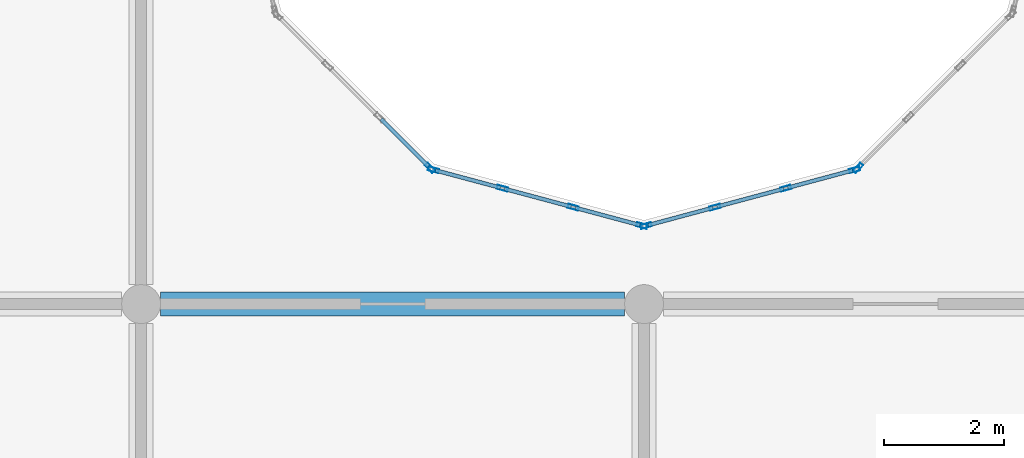
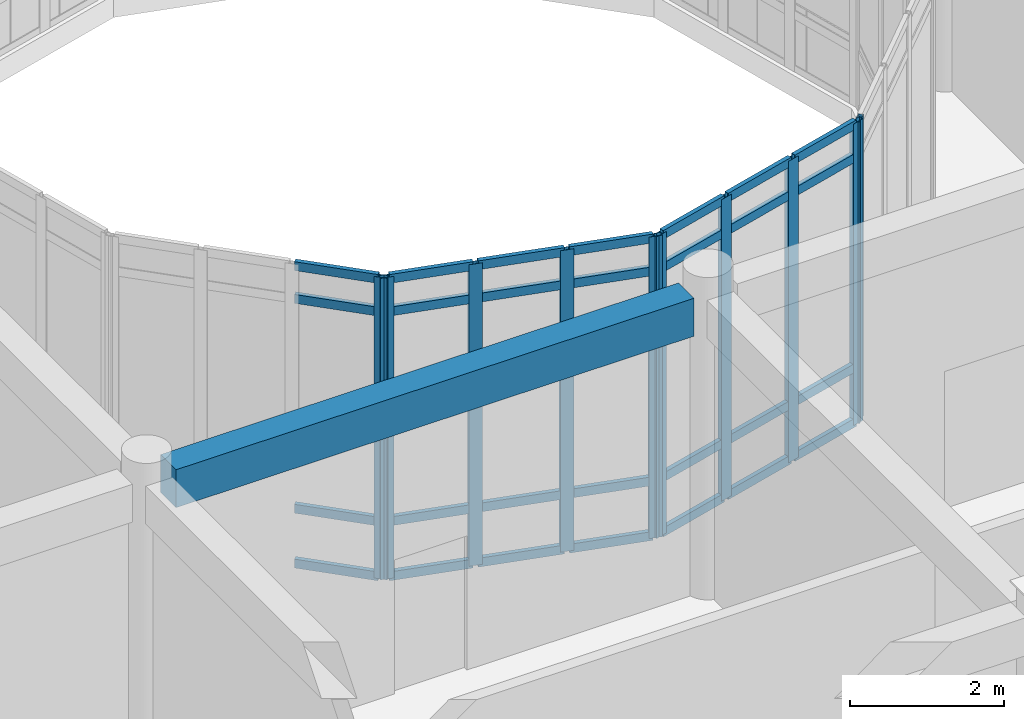
# One storey, part 43 of 134: 38 members, 1 beam, 4 elements without a shape of their own.
"""IFC4 building model written with IfcOpenShell, lengths in metres."""

import ifcopenshell
import ifcopenshell.guid

model = None  # the IFC model being written
_history = None  # IfcOwnerHistory: only IFC2X3 demands one
_inside = {}  # id of a spatial element -> (the spatial element, [elements in it])
_under = {}  # id of a project, library or spatial element -> (it, [spatial elements below it])
_declared = {}  # id of a project -> (the project, [libraries it declares])
_typed = {}  # id of a type object -> (the type object, [elements of that type])
_made_of = {}  # id of a material, layer set ... -> (it, [elements and type objects made of it])


def new_model(schema):
    """Start an empty IFC model of exactly this schema.

    Asked for "IFC4X3", IfcOpenShell would pick the latest addendum, in which some entities
    have other attributes; the version numbers below select the first issue.
    IFC2X3 requires an IfcOwnerHistory on every rooted entity: one is made here for all.
    """
    global model, _history
    if schema == "IFC4X3":
        model = ifcopenshell.file(schema_version=(4, 3, 0, 0))
    else:
        model = ifcopenshell.file(schema=schema)
    _inside.clear()
    _under.clear()
    _declared.clear()
    _typed.clear()
    _made_of.clear()
    _history = None
    if model.schema == "IFC2X3":
        org = make("IfcOrganization", Name="unknown")
        user = make(
            "IfcPersonAndOrganization",
            ThePerson=make("IfcPerson", FamilyName="unknown"),
            TheOrganization=org,
        )
        app = make(
            "IfcApplication",
            ApplicationDeveloper=org,
            Version="unknown",
            ApplicationFullName="unknown",
            ApplicationIdentifier="unknown",
        )
        _history = make(
            "IfcOwnerHistory",
            OwningUser=user,
            OwningApplication=app,
            ChangeAction="ADDED",
            CreationDate=0,
        )
    return model


def make(cls, **values):
    """One entity of the class cls with the attributes given. An attribute that is None is left unset."""
    return model.create_entity(
        cls, **{name: value for name, value in values.items() if value is not None}
    )


def rooted(cls, **values):
    """An entity with a GlobalId (a new one), such as an element, a storey or a relation."""
    return make(cls, GlobalId=ifcopenshell.guid.new(), OwnerHistory=_history, **values)


def si_unit(unit_type, name, prefix=None):
    """IfcSIUnit, for example si_unit("LENGTHUNIT", "METRE", prefix="MILLI")."""
    return make("IfcSIUnit", UnitType=unit_type, Prefix=prefix, Name=name)


def assignment(units):
    """IfcUnitAssignment: the units of a project."""
    return None if units is None else make("IfcUnitAssignment", Units=units)


def point(xyz):
    """IfcCartesianPoint."""
    return None if xyz is None else make("IfcCartesianPoint", Coordinates=xyz)


def direction(xyz):
    """IfcDirection."""
    return None if xyz is None else make("IfcDirection", DirectionRatios=xyz)


def frame(location, z_axis=None, x_axis=None):
    """IfcAxis2Placement3D, a coordinate frame: its origin and axes. An axis left out is left unset."""
    return make(
        "IfcAxis2Placement3D",
        Location=point(location),
        Axis=direction(z_axis),
        RefDirection=direction(x_axis),
    )


def frame_2d(location, x_axis=None):
    """IfcAxis2Placement2D, a coordinate frame in the plane: its origin and x axis."""
    return make(
        "IfcAxis2Placement2D", Location=point(location), RefDirection=direction(x_axis)
    )


def origin():
    """The frame at (0, 0, 0) with its axes left unset."""
    return frame((0.0, 0.0, 0.0))


def origin_2d():
    """The frame at (0, 0) in the plane with its x axis left unset."""
    return frame_2d((0.0, 0.0))


def place(relative_to, where):
    """IfcLocalPlacement: puts the frame where relative to a parent placement (None: the world)."""
    return make(
        "IfcLocalPlacement", PlacementRelTo=relative_to, RelativePlacement=where
    )


def context(
    kind, dimensions, precision=None, world=None, true_north=None, identifier=None
):
    """IfcGeometricRepresentationContext, for example the 3D "Model" context."""
    return make(
        "IfcGeometricRepresentationContext",
        ContextIdentifier=identifier,
        ContextType=kind,
        CoordinateSpaceDimension=dimensions,
        Precision=precision,
        WorldCoordinateSystem=world,
        TrueNorth=true_north,
    )


def subcontext(parent, identifier, kind, view, scale=None):
    """IfcGeometricRepresentationSubContext, for example "Body" below "Model"."""
    return make(
        "IfcGeometricRepresentationSubContext",
        ContextIdentifier=identifier,
        ContextType=kind,
        ParentContext=parent,
        TargetScale=scale,
        TargetView=view,
    )


def project(units=None, contexts=None):
    """IfcProject with its units and contexts."""
    return rooted(
        "IfcProject",
        Name="project",
        RepresentationContexts=contexts,
        UnitsInContext=assignment(units),
    )


def spatial(cls, under=None, at=None, **own):
    """A site, building, storey or space (cls), placed at a placement, below another one or the project."""
    s = rooted(cls, ObjectPlacement=at, **own)
    if under is not None:
        _under.setdefault(under.id(), (under, []))[1].append(s)
    return s


def profile(cls, at=None, kind="AREA", **sizes):
    """A parametric profile (cls). Its sizes go by their IFC names, for example OverallWidth=200.0."""
    return make(cls, ProfileType=kind, Position=at, **sizes)


def rectangle(**sizes):
    """IfcRectangleProfileDef."""
    return profile("IfcRectangleProfileDef", **sizes)


def hollow_rectangle(**sizes):
    """IfcRectangleHollowProfileDef."""
    return profile("IfcRectangleHollowProfileDef", **sizes)


def extrude(swept, where, along, depth):
    """IfcExtrudedAreaSolid: the profile swept, set in the frame where, extruded along a direction by depth."""
    return make(
        "IfcExtrudedAreaSolid",
        SweptArea=swept,
        Position=where,
        ExtrudedDirection=direction(along),
        Depth=depth,
    )


def shape(context_of_items, identifier, shape_type, items):
    """IfcShapeRepresentation: the items that make up one representation, for example the "Body"."""
    return make(
        "IfcShapeRepresentation",
        ContextOfItems=context_of_items,
        RepresentationIdentifier=identifier,
        RepresentationType=shape_type,
        Items=items,
    )


def material(Name=None, Category=None):
    """IfcMaterial."""
    return make("IfcMaterial", Name=Name, Category=Category)


def layer(
    of_material, thickness, ventilated=None, Name=None, Category=None, Priority=None
):
    """IfcMaterialLayer: one layer of a wall or slab, of a material (None: an air gap)."""
    return make(
        "IfcMaterialLayer",
        Material=of_material,
        LayerThickness=thickness,
        IsVentilated=ventilated,
        Name=Name,
        Category=Category,
        Priority=Priority,
    )


def layer_set(layers, Name=None):
    """IfcMaterialLayerSet."""
    return make("IfcMaterialLayerSet", MaterialLayers=layers, LayerSetName=Name)


def material_profile(
    of_material, cross_section, Name=None, Category=None, Priority=None
):
    """IfcMaterialProfile: a cross section and its material."""
    return make(
        "IfcMaterialProfile",
        Name=Name,
        Material=of_material,
        Profile=cross_section,
        Priority=Priority,
        Category=Category,
    )


def profile_set(profiles, Name=None, composite=None):
    """IfcMaterialProfileSet."""
    return make(
        "IfcMaterialProfileSet",
        Name=Name,
        MaterialProfiles=profiles,
        CompositeProfile=composite,
    )


def made_of(thing, what):
    """Note that an element or type object is made of a material, layer set ...; save() writes the relation."""
    if what is not None:
        _made_of.setdefault(what.id(), (what, []))[1].append(thing)
    return thing


def type_object(cls, material=None, **own):
    """A type object (cls), such as IfcWallType, which elements share."""
    return made_of(rooted(cls, **own), material)


def element(
    cls,
    number,
    at=None,
    inside=None,
    cuts=None,
    type_object=None,
    material=None,
    context=None,
    identifier="Body",
    shape_type=None,
    held_by="IfcProductDefinitionShape",
    body=None,
    shapes=None,
    **own,
):
    """One element of the class cls, such as IfcWall. Its Tag is "e" and its number.

    at: its placement. inside: the storey or other place that contains it. cuts: it is an
    opening in that element (IfcRelVoidsElement). A single representation is given by context,
    identifier, shape_type and body (its items); several are given by shapes. held_by: the class
    of the entity that holds the representations. save() writes the other relations.
    """
    e = rooted(cls, Tag="e%d" % number, ObjectPlacement=at, **own)
    if body is not None:
        shapes = [shape(context, identifier, shape_type, body)]
    if shapes is not None:
        e.Representation = make(held_by, Representations=shapes)
    if inside is not None:
        _inside.setdefault(inside.id(), (inside, []))[1].append(e)
    if cuts is not None:
        rooted(
            "IfcRelVoidsElement", RelatingBuildingElement=cuts, RelatedOpeningElement=e
        )
    if type_object is not None:
        _typed.setdefault(type_object.id(), (type_object, []))[1].append(e)
    return made_of(e, material)


def aggregate(whole, parts):
    """IfcRelAggregates: a whole, such as a stair, and the parts it consists of."""
    return rooted("IfcRelAggregates", RelatingObject=whole, RelatedObjects=parts)


def save(model, path):
    """Write the relations noted so far, then the file.

    IfcRelAggregates (storeys below a building ...), IfcRelContainedInSpatialStructure (elements
    in a storey), IfcRelDefinesByType, IfcRelAssociatesMaterial and IfcRelDeclares: one each for
    every whole, place, type object, material and project.
    """
    for whole, parts in _under.values():
        aggregate(whole, parts)
    for where, things in _inside.values():
        rooted(
            "IfcRelContainedInSpatialStructure",
            RelatedElements=things,
            RelatingStructure=where,
        )
    for kind, things in _typed.values():
        rooted("IfcRelDefinesByType", RelatedObjects=things, RelatingType=kind)
    for what, things in _made_of.values():
        rooted("IfcRelAssociatesMaterial", RelatedObjects=things, RelatingMaterial=what)
    for by, libraries in _declared.values():
        rooted("IfcRelDeclares", RelatingContext=by, RelatedDefinitions=libraries)
    model.write(path)


model = new_model("IFC4")

# Units and contexts
model_context = context("Model", 3, precision=1e-05, world=origin(), true_north=direction((0.0, 1.0)))
body_context = subcontext(model_context, "Body", "Model", "MODEL_VIEW")
ifc_project = project(units=[si_unit("LENGTHUNIT", "METRE"), si_unit("AREAUNIT", "SQUARE_METRE"), si_unit("VOLUMEUNIT", "CUBIC_METRE"), si_unit("PLANEANGLEUNIT", "RADIAN"), si_unit("MASSUNIT", "GRAM", prefix="KILO")], contexts=[model_context])

# Site, building, storey
site_placement = place(None, origin())
site = spatial("IfcSite", under=ifc_project, at=site_placement, CompositionType="ELEMENT")
building_placement = place(site_placement, origin())
building = spatial("IfcBuilding", under=site, at=building_placement, Name="Bramfleet General Hospital", CompositionType="ELEMENT")
storey_placement = place(building_placement, frame((0.0, 0.0, 9.300048828125)))
storey = spatial("IfcBuildingStorey", under=building, at=storey_placement, Name="L02", CompositionType="ELEMENT", Elevation=9.300048828125)

# Beam
ifc_material_1 = material(Name="Concrete C35/45", Category="concrete")
ifc_material_profile_1 = material_profile(ifc_material_1, rectangle(XDim=0.39990234375, YDim=0.60009765625, at=origin_2d()), Name="RC BM 600x400")
ifc_profile_set_1 = profile_set([ifc_material_profile_1], Name="Concrete C35/45")
beam_type = type_object("IfcBeamType", Name="BM-RC600", PredefinedType="BEAM", material=ifc_profile_set_1)
beam_placement = place(storey_placement, frame((75.925048828125, 67.199951171875, 4.47998046875), z_axis=(1.0, 0.0, 0.0), x_axis=(0.0, 1.0, 0.0)))
element("IfcBeam", 1, at=beam_placement, inside=storey, type_object=beam_type, Name="L02 Grid Beam X 09-08", PredefinedType="BEAM", context=body_context, shape_type="SweptSolid", body=[
    extrude(rectangle(XDim=0.39990234375, YDim=0.60009765625, at=origin_2d()), origin(), (0.0, 0.0, 1.0), 7.75),
])

# Curtain wall, member
ifc_material_2 = material(Name="Anodised aluminium and low-E triple glazing", Category="aluminium")
ifc_layer_1 = layer(ifc_material_2, 0.179931640625, Name="CWT-CW-18")
ifc_layer_set_1 = layer_set([ifc_layer_1], Name="Anodised aluminium and low-E triple glazing")
curtain_wall_type_1 = type_object("IfcCurtainWallType", Name="CWT-CW-18", PredefinedType="USERDEFINED", material=ifc_layer_set_1)
curtain_wall_1_placement = place(storey_placement, origin())
curtain_wall_1 = element("IfcCurtainWall", 2, at=curtain_wall_1_placement, inside=storey, type_object=curtain_wall_type_1, Name="L02 Central Diagnostic Light Court Curtain Wall 2.1", ObjectType="Stick curtain wall", PredefinedType="USERDEFINED")
ifc_material_3 = material(Name="Anodised aluminium EN AW-6060", Category="aluminium")
ifc_material_profile_2 = material_profile(ifc_material_3, hollow_rectangle(XDim=0.070068359375, YDim=0.179931640625, WallThickness=0.00390625, at=origin_2d()), Name="ALU 180x70x4.0")
ifc_profile_set_2 = profile_set([ifc_material_profile_2], Name="Anodised aluminium EN AW-6060")
member_type_1 = type_object("IfcMemberType", Name="CWM-ALU180", PredefinedType="MULLION", material=ifc_profile_set_2)
member_1_placement = place(storey_placement, frame((80.42529296875, 69.475830078125, 0.0), z_axis=(0.0, 0.0, 1.0), x_axis=(0.707106781187, 0.707106781187, 0.0)))
member_1 = element("IfcMember", 3, at=member_1_placement, type_object=member_type_1, Name="CW-18 mullion 4", PredefinedType="MULLION", context=body_context, shape_type="SweptSolid", body=[
    extrude(hollow_rectangle(XDim=0.070068359375, YDim=0.179931640625, WallThickness=0.00390625, at=origin_2d()), origin(), (0.0, 0.0, 1.0), 4.77001953125),
])

# Curtain wall, members
ifc_layer_2 = layer(ifc_material_2, 0.179931640625, Name="CWT-CW-11")
ifc_layer_set_2 = layer_set([ifc_layer_2], Name="Anodised aluminium and low-E triple glazing")
curtain_wall_type_2 = type_object("IfcCurtainWallType", Name="CWT-CW-11", PredefinedType="USERDEFINED", material=ifc_layer_set_2)
curtain_wall_2_placement = place(storey_placement, origin())
curtain_wall_2 = element("IfcCurtainWall", 4, at=curtain_wall_2_placement, inside=storey, type_object=curtain_wall_type_2, Name="L02 Central Diagnostic Light Court Curtain Wall 3.1", ObjectType="Stick curtain wall", PredefinedType="USERDEFINED")
member_2_placement = place(storey_placement, frame((80.48388671875, 69.44189453125, 0.0), z_axis=(0.0, 0.0, 1.0), x_axis=(0.258763286618, 0.965940765005, 0.0)))
member_2 = element("IfcMember", 5, at=member_2_placement, type_object=member_type_1, Name="CW-11 mullion 1", PredefinedType="MULLION", context=body_context, shape_type="SweptSolid", body=[
    extrude(hollow_rectangle(XDim=0.070068359375, YDim=0.179931640625, WallThickness=0.00390625, at=origin_2d()), origin(), (0.0, 0.0, 1.0), 4.77001953125),
])
member_3_placement = place(storey_placement, frame((81.63330078125, 69.134033203125, 0.0), z_axis=(0.0, 0.0, 1.0), x_axis=(0.258763286618, 0.965940765005, 0.0)))
member_3 = element("IfcMember", 6, at=member_3_placement, type_object=member_type_1, Name="CW-11 mullion 2", PredefinedType="MULLION", context=body_context, shape_type="SweptSolid", body=[
    extrude(hollow_rectangle(XDim=0.070068359375, YDim=0.179931640625, WallThickness=0.00390625, at=origin_2d()), origin(), (0.0, 0.0, 1.0), 4.77001953125),
])
member_4_placement = place(storey_placement, frame((82.816650390625, 68.81689453125, 0.0), z_axis=(0.0, 0.0, 1.0), x_axis=(0.258763286618, 0.965940765005, 0.0)))
member_4 = element("IfcMember", 7, at=member_4_placement, type_object=member_type_1, Name="CW-11 mullion 3", PredefinedType="MULLION", context=body_context, shape_type="SweptSolid", body=[
    extrude(hollow_rectangle(XDim=0.070068359375, YDim=0.179931640625, WallThickness=0.00390625, at=origin_2d()), origin(), (0.0, 0.0, 1.0), 4.77001953125),
])
member_5_placement = place(storey_placement, frame((83.96630859375, 68.509033203125, 0.0), z_axis=(0.0, 0.0, 1.0), x_axis=(0.258763286618, 0.965940765005, 0.0)))
member_5 = element("IfcMember", 8, at=member_5_placement, type_object=member_type_1, Name="CW-11 mullion 4", PredefinedType="MULLION", context=body_context, shape_type="SweptSolid", body=[
    extrude(hollow_rectangle(XDim=0.070068359375, YDim=0.179931640625, WallThickness=0.00390625, at=origin_2d()), origin(), (0.0, 0.0, 1.0), 4.77001953125),
])

ifc_layer_3 = layer(ifc_material_2, 0.179931640625, Name="CWT-CW-12")
ifc_layer_set_3 = layer_set([ifc_layer_3], Name="Anodised aluminium and low-E triple glazing")
curtain_wall_type_3 = type_object("IfcCurtainWallType", Name="CWT-CW-12", PredefinedType="USERDEFINED", material=ifc_layer_set_3)
curtain_wall_3_placement = place(storey_placement, origin())
curtain_wall_3 = element("IfcCurtainWall", 9, at=curtain_wall_3_placement, inside=storey, type_object=curtain_wall_type_3, Name="L02 Central Diagnostic Light Court Curtain Wall 4.1", ObjectType="Stick curtain wall", PredefinedType="USERDEFINED")
member_6_placement = place(storey_placement, frame((84.03369140625, 68.509033203125, 0.0), z_axis=(0.0, 0.0, 1.0), x_axis=(-0.258763286618, 0.965940765005, 0.0)))
member_6 = element("IfcMember", 10, at=member_6_placement, type_object=member_type_1, Name="CW-12 mullion 1", PredefinedType="MULLION", context=body_context, shape_type="SweptSolid", body=[
    extrude(hollow_rectangle(XDim=0.070068359375, YDim=0.179931640625, WallThickness=0.00390625, at=origin_2d()), origin(), (0.0, 0.0, 1.0), 4.77001953125),
])
member_7_placement = place(storey_placement, frame((85.183349609375, 68.81689453125, 0.0), z_axis=(0.0, 0.0, 1.0), x_axis=(-0.258763286618, 0.965940765005, 0.0)))
member_7 = element("IfcMember", 11, at=member_7_placement, type_object=member_type_1, Name="CW-12 mullion 2", PredefinedType="MULLION", context=body_context, shape_type="SweptSolid", body=[
    extrude(hollow_rectangle(XDim=0.070068359375, YDim=0.179931640625, WallThickness=0.00390625, at=origin_2d()), origin(), (0.0, 0.0, 1.0), 4.77001953125),
])
member_8_placement = place(storey_placement, frame((86.36669921875, 69.134033203125, 0.0), z_axis=(0.0, 0.0, 1.0), x_axis=(-0.258763286618, 0.965940765005, 0.0)))
member_8 = element("IfcMember", 12, at=member_8_placement, type_object=member_type_1, Name="CW-12 mullion 3", PredefinedType="MULLION", context=body_context, shape_type="SweptSolid", body=[
    extrude(hollow_rectangle(XDim=0.070068359375, YDim=0.179931640625, WallThickness=0.00390625, at=origin_2d()), origin(), (0.0, 0.0, 1.0), 4.77001953125),
])
member_9_placement = place(storey_placement, frame((87.51611328125, 69.44189453125, 0.0), z_axis=(0.0, 0.0, 1.0), x_axis=(-0.258763286618, 0.965940765005, 0.0)))
member_9 = element("IfcMember", 13, at=member_9_placement, type_object=member_type_1, Name="CW-12 mullion 4", PredefinedType="MULLION", context=body_context, shape_type="SweptSolid", body=[
    extrude(hollow_rectangle(XDim=0.070068359375, YDim=0.179931640625, WallThickness=0.00390625, at=origin_2d()), origin(), (0.0, 0.0, 1.0), 4.77001953125),
])

# Curtain wall, member
ifc_layer_4 = layer(ifc_material_2, 0.179931640625, Name="CWT-CW-13")
ifc_layer_set_4 = layer_set([ifc_layer_4], Name="Anodised aluminium and low-E triple glazing")
curtain_wall_type_4 = type_object("IfcCurtainWallType", Name="CWT-CW-13", PredefinedType="USERDEFINED", material=ifc_layer_set_4)
curtain_wall_4_placement = place(storey_placement, origin())
curtain_wall_4 = element("IfcCurtainWall", 14, at=curtain_wall_4_placement, inside=storey, type_object=curtain_wall_type_4, Name="L02 Central Diagnostic Light Court Curtain Wall 5.1", ObjectType="Stick curtain wall", PredefinedType="USERDEFINED")
member_10_placement = place(storey_placement, frame((87.57470703125, 69.475830078125, 0.0), z_axis=(0.0, 0.0, 1.0), x_axis=(-0.707106781187, 0.707106781187, 0.0)))
member_10 = element("IfcMember", 15, at=member_10_placement, type_object=member_type_1, Name="CW-13 mullion 1", PredefinedType="MULLION", context=body_context, shape_type="SweptSolid", body=[
    extrude(hollow_rectangle(XDim=0.070068359375, YDim=0.179931640625, WallThickness=0.00390625, at=origin_2d()), origin(), (0.0, 0.0, 1.0), 4.77001953125),
])
aggregate(curtain_wall_4, [member_10])

# Member
ifc_material_profile_3 = material_profile(ifc_material_3, hollow_rectangle(XDim=0.06494140625, YDim=0.139892578125, WallThickness=0.00390625, at=origin_2d()), Name="ALU 140x65x4.0")
ifc_profile_set_3 = profile_set([ifc_material_profile_3], Name="Anodised aluminium EN AW-6060")
member_type_2 = type_object("IfcMemberType", Name="CWT-ALU140", PredefinedType="USERDEFINED", material=ifc_profile_set_3)
member_11_placement = place(storey_placement, frame((79.6083984375, 70.29248046875, 0.032470703125), z_axis=(0.707106781187, -0.707106781187, 0.0), x_axis=(0.707106781187, 0.707106781187, 0.0)))
member_11 = element("IfcMember", 16, at=member_11_placement, type_object=member_type_2, Name="CW-18 transom 3.1", ObjectType="TRANSOM", PredefinedType="USERDEFINED", context=body_context, shape_type="SweptSolid", body=[
    extrude(hollow_rectangle(XDim=0.06494140625, YDim=0.139892578125, WallThickness=0.00390625, at=origin_2d()), origin(), (0.0, 0.0, 1.0), 1.1201171875),
])

member_12_placement = place(storey_placement, frame((79.6083984375, 70.29248046875, 0.89990234375), z_axis=(0.707106781187, -0.707106781187, 0.0), x_axis=(0.707106781187, 0.707106781187, 0.0)))
member_12 = element("IfcMember", 17, at=member_12_placement, type_object=member_type_2, Name="CW-18 transom 3.2", ObjectType="TRANSOM", PredefinedType="USERDEFINED", context=body_context, shape_type="SweptSolid", body=[
    extrude(hollow_rectangle(XDim=0.06494140625, YDim=0.139892578125, WallThickness=0.00390625, at=origin_2d()), origin(), (0.0, 0.0, 1.0), 1.1201171875),
])

member_13_placement = place(storey_placement, frame((79.6083984375, 70.29248046875, 4.219970703125), z_axis=(0.707106781187, -0.707106781187, 0.0), x_axis=(0.707106781187, 0.707106781187, 0.0)))
member_13 = element("IfcMember", 18, at=member_13_placement, type_object=member_type_2, Name="CW-18 transom 3.3", ObjectType="TRANSOM", PredefinedType="USERDEFINED", context=body_context, shape_type="SweptSolid", body=[
    extrude(hollow_rectangle(XDim=0.06494140625, YDim=0.139892578125, WallThickness=0.00390625, at=origin_2d()), origin(), (0.0, 0.0, 1.0), 1.1201171875),
])

member_14_placement = place(storey_placement, frame((79.6083984375, 70.29248046875, 4.737548828125), z_axis=(0.707106781187, -0.707106781187, 0.0), x_axis=(0.707106781187, 0.707106781187, 0.0)))
member_14 = element("IfcMember", 19, at=member_14_placement, type_object=member_type_2, Name="CW-18 transom 3.4", ObjectType="TRANSOM", PredefinedType="USERDEFINED", context=body_context, shape_type="SweptSolid", body=[
    extrude(hollow_rectangle(XDim=0.06494140625, YDim=0.139892578125, WallThickness=0.00390625, at=origin_2d()), origin(), (0.0, 0.0, 1.0), 1.1201171875),
])

aggregate(curtain_wall_1, [member_1, member_11, member_12, member_13, member_14])

member_15_placement = place(storey_placement, frame((80.517578125, 69.432861328125, 0.032470703125), z_axis=(0.965955832691, -0.25870703371, 0.0), x_axis=(0.25870703371, 0.965955832691, 0.0)))
member_15 = element("IfcMember", 20, at=member_15_placement, type_object=member_type_2, Name="CW-11 transom 1.1", ObjectType="TRANSOM", PredefinedType="USERDEFINED", context=body_context, shape_type="SweptSolid", body=[
    extrude(hollow_rectangle(XDim=0.06494140625, YDim=0.139892578125, WallThickness=0.00390625, at=origin_2d()), origin(), (0.0, 0.0, 1.0), 1.1201171875),
])

member_16_placement = place(storey_placement, frame((80.517578125, 69.432861328125, 0.89990234375), z_axis=(0.965955832691, -0.25870703371, 0.0), x_axis=(0.25870703371, 0.965955832691, 0.0)))
member_16 = element("IfcMember", 21, at=member_16_placement, type_object=member_type_2, Name="CW-11 transom 1.2", ObjectType="TRANSOM", PredefinedType="USERDEFINED", context=body_context, shape_type="SweptSolid", body=[
    extrude(hollow_rectangle(XDim=0.06494140625, YDim=0.139892578125, WallThickness=0.00390625, at=origin_2d()), origin(), (0.0, 0.0, 1.0), 1.1201171875),
])

member_17_placement = place(storey_placement, frame((80.517578125, 69.432861328125, 4.219970703125), z_axis=(0.965955832691, -0.25870703371, 0.0), x_axis=(0.25870703371, 0.965955832691, 0.0)))
member_17 = element("IfcMember", 22, at=member_17_placement, type_object=member_type_2, Name="CW-11 transom 1.3", ObjectType="TRANSOM", PredefinedType="USERDEFINED", context=body_context, shape_type="SweptSolid", body=[
    extrude(hollow_rectangle(XDim=0.06494140625, YDim=0.139892578125, WallThickness=0.00390625, at=origin_2d()), origin(), (0.0, 0.0, 1.0), 1.1201171875),
])

member_18_placement = place(storey_placement, frame((80.517578125, 69.432861328125, 4.737548828125), z_axis=(0.965955832691, -0.25870703371, 0.0), x_axis=(0.25870703371, 0.965955832691, 0.0)))
member_18 = element("IfcMember", 23, at=member_18_placement, type_object=member_type_2, Name="CW-11 transom 1.4", ObjectType="TRANSOM", PredefinedType="USERDEFINED", context=body_context, shape_type="SweptSolid", body=[
    extrude(hollow_rectangle(XDim=0.06494140625, YDim=0.139892578125, WallThickness=0.00390625, at=origin_2d()), origin(), (0.0, 0.0, 1.0), 1.1201171875),
])

member_19_placement = place(storey_placement, frame((81.667236328125, 69.125, 0.032470703125), z_axis=(0.965953711242, -0.258714954608, 0.0), x_axis=(0.258714954608, 0.965953711242, 0.0)))
member_19 = element("IfcMember", 24, at=member_19_placement, type_object=member_type_2, Name="CW-11 transom 2.1", ObjectType="TRANSOM", PredefinedType="USERDEFINED", context=body_context, shape_type="SweptSolid", body=[
    extrude(hollow_rectangle(XDim=0.06494140625, YDim=0.139892578125, WallThickness=0.00390625, at=origin_2d()), origin(), (0.0, 0.0, 1.0), 1.155029296875),
])

member_20_placement = place(storey_placement, frame((81.667236328125, 69.125, 0.89990234375), z_axis=(0.965953711242, -0.258714954608, 0.0), x_axis=(0.258714954608, 0.965953711242, 0.0)))
member_20 = element("IfcMember", 25, at=member_20_placement, type_object=member_type_2, Name="CW-11 transom 2.2", ObjectType="TRANSOM", PredefinedType="USERDEFINED", context=body_context, shape_type="SweptSolid", body=[
    extrude(hollow_rectangle(XDim=0.06494140625, YDim=0.139892578125, WallThickness=0.00390625, at=origin_2d()), origin(), (0.0, 0.0, 1.0), 1.155029296875),
])

member_21_placement = place(storey_placement, frame((81.667236328125, 69.125, 4.219970703125), z_axis=(0.965953711242, -0.258714954608, 0.0), x_axis=(0.258714954608, 0.965953711242, 0.0)))
member_21 = element("IfcMember", 26, at=member_21_placement, type_object=member_type_2, Name="CW-11 transom 2.3", ObjectType="TRANSOM", PredefinedType="USERDEFINED", context=body_context, shape_type="SweptSolid", body=[
    extrude(hollow_rectangle(XDim=0.06494140625, YDim=0.139892578125, WallThickness=0.00390625, at=origin_2d()), origin(), (0.0, 0.0, 1.0), 1.155029296875),
])

member_22_placement = place(storey_placement, frame((81.667236328125, 69.125, 4.737548828125), z_axis=(0.965953711242, -0.258714954608, 0.0), x_axis=(0.258714954608, 0.965953711242, 0.0)))
member_22 = element("IfcMember", 27, at=member_22_placement, type_object=member_type_2, Name="CW-11 transom 2.4", ObjectType="TRANSOM", PredefinedType="USERDEFINED", context=body_context, shape_type="SweptSolid", body=[
    extrude(hollow_rectangle(XDim=0.06494140625, YDim=0.139892578125, WallThickness=0.00390625, at=origin_2d()), origin(), (0.0, 0.0, 1.0), 1.155029296875),
])

member_23_placement = place(storey_placement, frame((82.8505859375, 68.807861328125, 0.032470703125), z_axis=(0.965941240814, -0.258761510459, 0.0), x_axis=(0.258761510459, 0.965941240814, 0.0)))
member_23 = element("IfcMember", 28, at=member_23_placement, type_object=member_type_2, Name="CW-11 transom 3.1", ObjectType="TRANSOM", PredefinedType="USERDEFINED", context=body_context, shape_type="SweptSolid", body=[
    extrude(hollow_rectangle(XDim=0.06494140625, YDim=0.139892578125, WallThickness=0.00390625, at=origin_2d()), origin(), (0.0, 0.0, 1.0), 1.119873046875),
])

member_24_placement = place(storey_placement, frame((82.8505859375, 68.807861328125, 0.89990234375), z_axis=(0.965941240814, -0.258761510459, 0.0), x_axis=(0.258761510459, 0.965941240814, 0.0)))
member_24 = element("IfcMember", 29, at=member_24_placement, type_object=member_type_2, Name="CW-11 transom 3.2", ObjectType="TRANSOM", PredefinedType="USERDEFINED", context=body_context, shape_type="SweptSolid", body=[
    extrude(hollow_rectangle(XDim=0.06494140625, YDim=0.139892578125, WallThickness=0.00390625, at=origin_2d()), origin(), (0.0, 0.0, 1.0), 1.119873046875),
])

member_25_placement = place(storey_placement, frame((82.8505859375, 68.807861328125, 4.219970703125), z_axis=(0.965941240814, -0.258761510459, 0.0), x_axis=(0.258761510459, 0.965941240814, 0.0)))
member_25 = element("IfcMember", 30, at=member_25_placement, type_object=member_type_2, Name="CW-11 transom 3.3", ObjectType="TRANSOM", PredefinedType="USERDEFINED", context=body_context, shape_type="SweptSolid", body=[
    extrude(hollow_rectangle(XDim=0.06494140625, YDim=0.139892578125, WallThickness=0.00390625, at=origin_2d()), origin(), (0.0, 0.0, 1.0), 1.119873046875),
])

member_26_placement = place(storey_placement, frame((82.8505859375, 68.807861328125, 4.737548828125), z_axis=(0.965941240814, -0.258761510459, 0.0), x_axis=(0.258761510459, 0.965941240814, 0.0)))
member_26 = element("IfcMember", 31, at=member_26_placement, type_object=member_type_2, Name="CW-11 transom 3.4", ObjectType="TRANSOM", PredefinedType="USERDEFINED", context=body_context, shape_type="SweptSolid", body=[
    extrude(hollow_rectangle(XDim=0.06494140625, YDim=0.139892578125, WallThickness=0.00390625, at=origin_2d()), origin(), (0.0, 0.0, 1.0), 1.119873046875),
])

aggregate(curtain_wall_2, [member_2, member_3, member_4, member_5, member_15, member_16, member_17, member_18, member_19, member_20, member_21, member_22, member_23, member_24, member_25, member_26])

member_27_placement = place(storey_placement, frame((84.067626953125, 68.51806640625, 0.032470703125), z_axis=(0.965941240814, 0.258761510459, 0.0), x_axis=(-0.258761510459, 0.965941240814, 0.0)))
member_27 = element("IfcMember", 32, at=member_27_placement, type_object=member_type_2, Name="CW-12 transom 1.1", ObjectType="TRANSOM", PredefinedType="USERDEFINED", context=body_context, shape_type="SweptSolid", body=[
    extrude(hollow_rectangle(XDim=0.06494140625, YDim=0.139892578125, WallThickness=0.00390625, at=origin_2d()), origin(), (0.0, 0.0, 1.0), 1.119873046875),
])

member_28_placement = place(storey_placement, frame((84.067626953125, 68.51806640625, 0.89990234375), z_axis=(0.965941240814, 0.258761510459, 0.0), x_axis=(-0.258761510459, 0.965941240814, 0.0)))
member_28 = element("IfcMember", 33, at=member_28_placement, type_object=member_type_2, Name="CW-12 transom 1.2", ObjectType="TRANSOM", PredefinedType="USERDEFINED", context=body_context, shape_type="SweptSolid", body=[
    extrude(hollow_rectangle(XDim=0.06494140625, YDim=0.139892578125, WallThickness=0.00390625, at=origin_2d()), origin(), (0.0, 0.0, 1.0), 1.119873046875),
])

member_29_placement = place(storey_placement, frame((84.067626953125, 68.51806640625, 4.219970703125), z_axis=(0.965941240814, 0.258761510459, 0.0), x_axis=(-0.258761510459, 0.965941240814, 0.0)))
member_29 = element("IfcMember", 34, at=member_29_placement, type_object=member_type_2, Name="CW-12 transom 1.3", ObjectType="TRANSOM", PredefinedType="USERDEFINED", context=body_context, shape_type="SweptSolid", body=[
    extrude(hollow_rectangle(XDim=0.06494140625, YDim=0.139892578125, WallThickness=0.00390625, at=origin_2d()), origin(), (0.0, 0.0, 1.0), 1.119873046875),
])

member_30_placement = place(storey_placement, frame((84.067626953125, 68.51806640625, 4.737548828125), z_axis=(0.965941240814, 0.258761510459, 0.0), x_axis=(-0.258761510459, 0.965941240814, 0.0)))
member_30 = element("IfcMember", 35, at=member_30_placement, type_object=member_type_2, Name="CW-12 transom 1.4", ObjectType="TRANSOM", PredefinedType="USERDEFINED", context=body_context, shape_type="SweptSolid", body=[
    extrude(hollow_rectangle(XDim=0.06494140625, YDim=0.139892578125, WallThickness=0.00390625, at=origin_2d()), origin(), (0.0, 0.0, 1.0), 1.119873046875),
])

member_31_placement = place(storey_placement, frame((85.217041015625, 68.826171875, 0.032470703125), z_axis=(0.965953711242, 0.258714954608, 0.0), x_axis=(-0.258714954608, 0.965953711242, 0.0)))
member_31 = element("IfcMember", 36, at=member_31_placement, type_object=member_type_2, Name="CW-12 transom 2.1", ObjectType="TRANSOM", PredefinedType="USERDEFINED", context=body_context, shape_type="SweptSolid", body=[
    extrude(hollow_rectangle(XDim=0.06494140625, YDim=0.139892578125, WallThickness=0.00390625, at=origin_2d()), origin(), (0.0, 0.0, 1.0), 1.155029296875),
])

member_32_placement = place(storey_placement, frame((85.217041015625, 68.826171875, 0.89990234375), z_axis=(0.965953711242, 0.258714954608, 0.0), x_axis=(-0.258714954608, 0.965953711242, 0.0)))
member_32 = element("IfcMember", 37, at=member_32_placement, type_object=member_type_2, Name="CW-12 transom 2.2", ObjectType="TRANSOM", PredefinedType="USERDEFINED", context=body_context, shape_type="SweptSolid", body=[
    extrude(hollow_rectangle(XDim=0.06494140625, YDim=0.139892578125, WallThickness=0.00390625, at=origin_2d()), origin(), (0.0, 0.0, 1.0), 1.155029296875),
])

member_33_placement = place(storey_placement, frame((85.217041015625, 68.826171875, 4.219970703125), z_axis=(0.965953711242, 0.258714954608, 0.0), x_axis=(-0.258714954608, 0.965953711242, 0.0)))
member_33 = element("IfcMember", 38, at=member_33_placement, type_object=member_type_2, Name="CW-12 transom 2.3", ObjectType="TRANSOM", PredefinedType="USERDEFINED", context=body_context, shape_type="SweptSolid", body=[
    extrude(hollow_rectangle(XDim=0.06494140625, YDim=0.139892578125, WallThickness=0.00390625, at=origin_2d()), origin(), (0.0, 0.0, 1.0), 1.155029296875),
])

member_34_placement = place(storey_placement, frame((85.217041015625, 68.826171875, 4.737548828125), z_axis=(0.965953711242, 0.258714954608, 0.0), x_axis=(-0.258714954608, 0.965953711242, 0.0)))
member_34 = element("IfcMember", 39, at=member_34_placement, type_object=member_type_2, Name="CW-12 transom 2.4", ObjectType="TRANSOM", PredefinedType="USERDEFINED", context=body_context, shape_type="SweptSolid", body=[
    extrude(hollow_rectangle(XDim=0.06494140625, YDim=0.139892578125, WallThickness=0.00390625, at=origin_2d()), origin(), (0.0, 0.0, 1.0), 1.155029296875),
])

member_35_placement = place(storey_placement, frame((86.400390625, 69.14306640625, 0.032470703125), z_axis=(0.965955832691, 0.25870703371, 0.0), x_axis=(-0.25870703371, 0.965955832691, 0.0)))
member_35 = element("IfcMember", 40, at=member_35_placement, type_object=member_type_2, Name="CW-12 transom 3.1", ObjectType="TRANSOM", PredefinedType="USERDEFINED", context=body_context, shape_type="SweptSolid", body=[
    extrude(hollow_rectangle(XDim=0.06494140625, YDim=0.139892578125, WallThickness=0.00390625, at=origin_2d()), origin(), (0.0, 0.0, 1.0), 1.1201171875),
])

member_36_placement = place(storey_placement, frame((86.400390625, 69.14306640625, 0.89990234375), z_axis=(0.965955832691, 0.25870703371, 0.0), x_axis=(-0.25870703371, 0.965955832691, 0.0)))
member_36 = element("IfcMember", 41, at=member_36_placement, type_object=member_type_2, Name="CW-12 transom 3.2", ObjectType="TRANSOM", PredefinedType="USERDEFINED", context=body_context, shape_type="SweptSolid", body=[
    extrude(hollow_rectangle(XDim=0.06494140625, YDim=0.139892578125, WallThickness=0.00390625, at=origin_2d()), origin(), (0.0, 0.0, 1.0), 1.1201171875),
])

member_37_placement = place(storey_placement, frame((86.400390625, 69.14306640625, 4.219970703125), z_axis=(0.965955832691, 0.25870703371, 0.0), x_axis=(-0.25870703371, 0.965955832691, 0.0)))
member_37 = element("IfcMember", 42, at=member_37_placement, type_object=member_type_2, Name="CW-12 transom 3.3", ObjectType="TRANSOM", PredefinedType="USERDEFINED", context=body_context, shape_type="SweptSolid", body=[
    extrude(hollow_rectangle(XDim=0.06494140625, YDim=0.139892578125, WallThickness=0.00390625, at=origin_2d()), origin(), (0.0, 0.0, 1.0), 1.1201171875),
])

member_38_placement = place(storey_placement, frame((86.400390625, 69.14306640625, 4.737548828125), z_axis=(0.965955832691, 0.25870703371, 0.0), x_axis=(-0.25870703371, 0.965955832691, 0.0)))
member_38 = element("IfcMember", 43, at=member_38_placement, type_object=member_type_2, Name="CW-12 transom 3.4", ObjectType="TRANSOM", PredefinedType="USERDEFINED", context=body_context, shape_type="SweptSolid", body=[
    extrude(hollow_rectangle(XDim=0.06494140625, YDim=0.139892578125, WallThickness=0.00390625, at=origin_2d()), origin(), (0.0, 0.0, 1.0), 1.1201171875),
])

aggregate(curtain_wall_3, [member_6, member_7, member_8, member_9, member_27, member_28, member_29, member_30, member_31, member_32, member_33, member_34, member_35, member_36, member_37, member_38])

save(model, "model.ifc")
